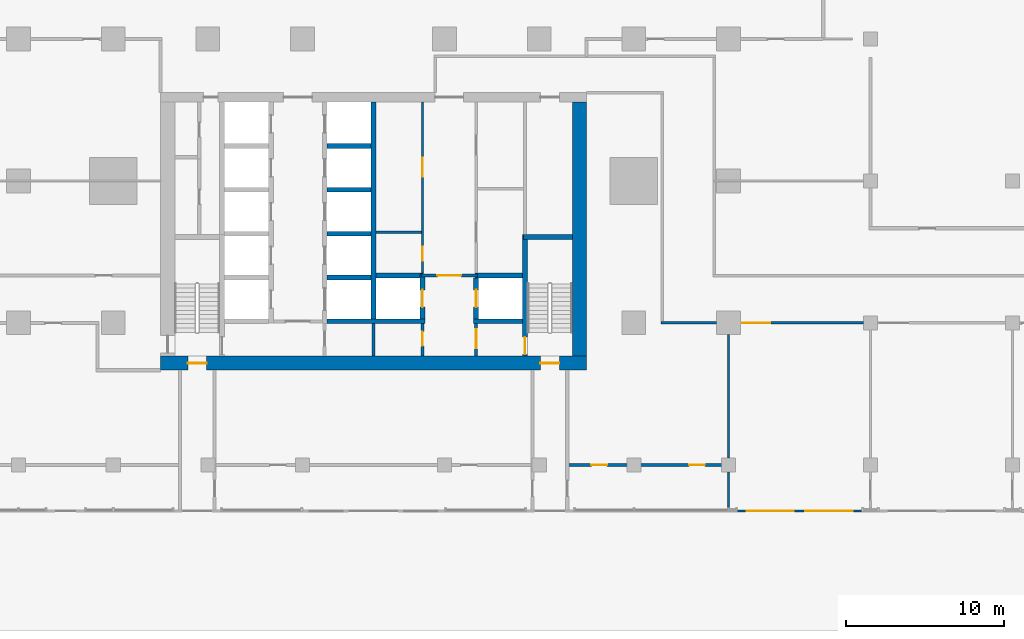
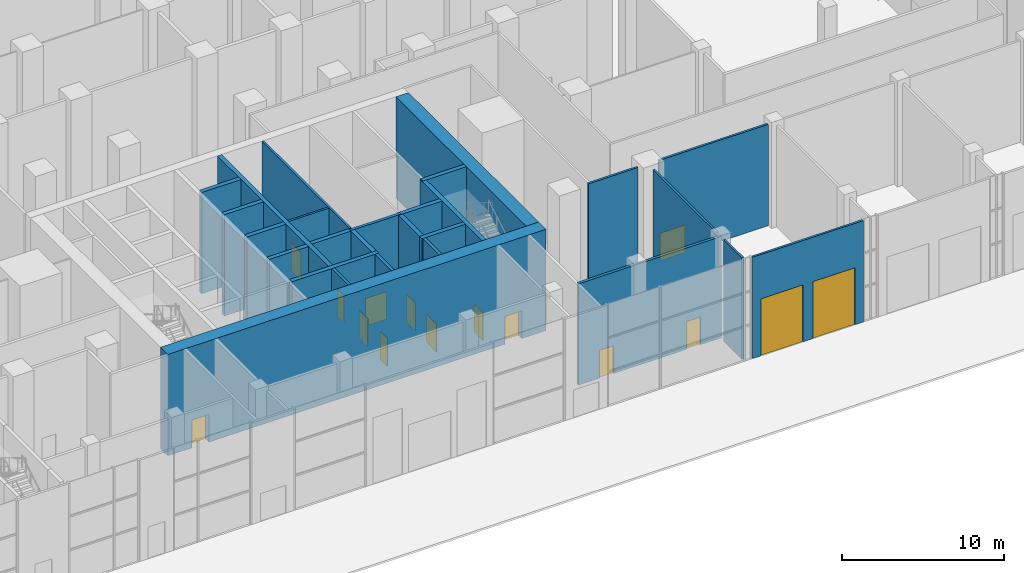
# One storey, part 19 of 29: 27 walls, 15 doors, 15 openings.
"""IFC4 building model written with IfcOpenShell, lengths in metres."""

from ifc_helpers import new_model, si_unit, direction, frame, frame_2d, origin, place, context, subcontext, project, spatial, rectangle, extrude, material, layer, layer_set, type_object, element, fill, save


model = new_model("IFC4")

# Units and contexts
model_context = context("Model", 3, precision=1e-05, world=origin(), true_north=direction((0.0, 1.0)))
body_context = subcontext(model_context, "Body", "Model", "MODEL_VIEW")
ifc_project = project(units=[si_unit("LENGTHUNIT", "METRE"), si_unit("AREAUNIT", "SQUARE_METRE"), si_unit("VOLUMEUNIT", "CUBIC_METRE"), si_unit("PLANEANGLEUNIT", "RADIAN"), si_unit("MASSUNIT", "GRAM", prefix="KILO")], contexts=[model_context])

# Site, building, storey
site_placement = place(None, origin())
site = spatial("IfcSite", under=ifc_project, at=site_placement, CompositionType="ELEMENT")
building_placement = place(site_placement, origin())
building = spatial("IfcBuilding", under=site, at=building_placement, Name="Finial Court Residences", CompositionType="ELEMENT")
storey_placement = place(building_placement, origin())
storey = spatial("IfcBuildingStorey", under=building, at=storey_placement, Name="L00", CompositionType="ELEMENT", Elevation=0.0)

# Wall, openings, doors
ifc_material_1 = material(Name="Concrete C80/95", Category="concrete")
ifc_layer_1 = layer(ifc_material_1, 0.89990234375)
ifc_layer_set_1 = layer_set([ifc_layer_1], Name="Core outer wall 900 Concrete C80/95")
wall_type_1 = type_object("IfcWallType", Name="Core outer wall 900 Concrete C80/95", PredefinedType="SHEAR", material=ifc_layer_set_1)
wall_1_placement = place(storey_placement, frame((13.5, -25.050048828125, 0.0), z_axis=(0.0, 0.0, 1.0), x_axis=(-1.0, 0.0, 0.0)))
wall_1 = element("IfcWall", 1, at=wall_1_placement, inside=storey, type_object=wall_type_1, Name="Core outer wall L00-01", PredefinedType="SHEAR", context=body_context, shape_type="SweptSolid", body=[
    extrude(rectangle(XDim=27.0, YDim=0.89990234375, at=frame_2d((13.5, 0.0))), origin(), (0.0, 0.0, 1.0), 7.64990234375),
])
opening_1_placement = place(wall_1_placement, frame((24.074951171875, 0.0, 0.0)))
opening_1 = element("IfcOpeningElement", 2, at=opening_1_placement, cuts=wall_1, Name="Opening L00-C01", PredefinedType="OPENING", context=body_context, shape_type="SweptSolid", body=[
    extrude(rectangle(XDim=1.199951171875, YDim=2.10009765625, at=frame_2d((0.60009765625, 1.050048828125))), frame((0.0, 0.4599609375, 0.0), z_axis=(0.0, -1.0, 0.0), x_axis=(1.0, 0.0, 0.0)), (0.0, 0.0, 1.0), 0.919921875),
])
opening_2_placement = place(wall_1_placement, frame((1.72509765625, 0.0, 0.0)))
opening_2 = element("IfcOpeningElement", 3, at=opening_2_placement, cuts=wall_1, Name="Opening L00-C02", PredefinedType="OPENING", context=body_context, shape_type="SweptSolid", body=[
    extrude(rectangle(XDim=1.199951171875, YDim=2.10009765625, at=frame_2d((0.60009765625, 1.050048828125))), frame((0.0, 0.4599609375, 0.0), z_axis=(0.0, -1.0, 0.0), x_axis=(1.0, 0.0, 0.0)), (0.0, 0.0, 1.0), 0.919921875),
])
ifc_material_2 = material(Name="Steel fire door", Category="steel")
door_type_1 = type_object("IfcDoorType", Name="Stair exit door 1200 x 2100 EI 90", OperationType="NOTDEFINED", PredefinedType="DOOR", material=ifc_material_2)
door_1_placement = place(opening_1_placement, origin())
door_1 = element("IfcDoor", 4, at=door_1_placement, inside=storey, type_object=door_type_1, Name="Stair exit door L00-C01", OperationType="SINGLE_SWING_LEFT", OverallHeight=2.10009765625, OverallWidth=1.199951171875, PredefinedType="DOOR", context=body_context, shape_type="SweptSolid", body=[
    extrude(rectangle(XDim=1.199951171875, YDim=2.10009765625, at=frame_2d((0.60009765625, 1.050048828125))), frame((0.0, 0.02490234375, 0.0), z_axis=(0.0, -1.0, 0.0), x_axis=(1.0, 0.0, 0.0)), (0.0, 0.0, 1.0), 0.050048828125),
])
fill(opening_1, door_1)
door_2_placement = place(opening_2_placement, origin())
door_2 = element("IfcDoor", 5, at=door_2_placement, inside=storey, type_object=door_type_1, Name="Stair exit door L00-C02", OperationType="SINGLE_SWING_LEFT", OverallHeight=2.10009765625, OverallWidth=1.199951171875, PredefinedType="DOOR", context=body_context, shape_type="SweptSolid", body=[
    extrude(rectangle(XDim=1.199951171875, YDim=2.10009765625, at=frame_2d((0.60009765625, 1.050048828125))), frame((0.0, 0.02490234375, 0.0), z_axis=(0.0, -1.0, 0.0), x_axis=(1.0, 0.0, 0.0)), (0.0, 0.0, 1.0), 0.050048828125),
])
fill(opening_2, door_2)

# Walls
wall_2_placement = place(storey_placement, frame((13.050048828125, -24.60009765625, 0.0), z_axis=(0.0, 0.0, 1.0), x_axis=(0.0, 1.0, 0.0)))
element("IfcWall", 6, at=wall_2_placement, inside=storey, type_object=wall_type_1, Name="Core outer wall L00-04", PredefinedType="SHEAR", context=body_context, shape_type="SweptSolid", body=[
    extrude(rectangle(XDim=16.10009765625, YDim=0.89990234375, at=frame_2d((8.050048828125, 0.0))), origin(), (0.0, 0.0, 1.0), 7.64990234375),
])
ifc_material_3 = material(Name="Fire-rated gypsum board partition")
ifc_layer_2 = layer(ifc_material_3, 0.14990234375)
ifc_layer_set_2 = layer_set([ifc_layer_2], Name="Core room partition 150 EI 60")
wall_type_2 = type_object("IfcWallType", Name="Core room partition 150 EI 60", PredefinedType="PARTITIONING", material=ifc_layer_set_2)
wall_3_placement = place(storey_placement, frame((0.14990234375, -16.75, 0.0), z_axis=(0.0, 0.0, 1.0), x_axis=(1.0, 0.0, 0.0)))
element("IfcWall", 7, at=wall_3_placement, inside=storey, type_object=wall_type_2, Name="Core partition L00-14", PredefinedType="PARTITIONING", context=body_context, shape_type="SweptSolid", body=[
    extrude(rectangle(XDim=2.875, YDim=0.14990234375, at=frame_2d((1.4375, 0.0))), origin(), (0.0, 0.0, 1.0), 7.64990234375),
])

# Wall, openings, doors
wall_4_placement = place(storey_placement, frame((3.10009765625, -19.39990234375, 0.0), z_axis=(0.0, 0.0, 1.0), x_axis=(0.0, 1.0, 0.0)))
wall_4 = element("IfcWall", 8, at=wall_4_placement, inside=storey, type_object=wall_type_2, Name="Core partition L00-32", PredefinedType="PARTITIONING", context=body_context, shape_type="SweptSolid", body=[
    extrude(rectangle(XDim=10.89990234375, YDim=0.14990234375, at=frame_2d((5.449951171875, 0.0))), origin(), (0.0, 0.0, 1.0), 7.64990234375),
])
opening_3_placement = place(wall_4_placement, frame((0.824951171875, 0.0, 0.0)))
opening_3 = element("IfcOpeningElement", 9, at=opening_3_placement, cuts=wall_4, Name="Opening L00-C14", PredefinedType="OPENING", context=body_context, shape_type="SweptSolid", body=[
    extrude(rectangle(XDim=0.89990234375, YDim=2.10009765625, at=frame_2d((0.449951171875, 1.050048828125))), frame((0.0, 0.0849609375, 0.0), z_axis=(0.0, -1.0, 0.0), x_axis=(1.0, 0.0, 0.0)), (0.0, 0.0, 1.0), 0.169921875),
])
opening_4_placement = place(wall_4_placement, frame((6.175048828125, 0.0, 0.0)))
opening_4 = element("IfcOpeningElement", 10, at=opening_4_placement, cuts=wall_4, Name="Opening L00-C15", PredefinedType="OPENING", context=body_context, shape_type="SweptSolid", body=[
    extrude(rectangle(XDim=1.199951171875, YDim=2.10009765625, at=frame_2d((0.60009765625, 1.050048828125))), frame((0.0, 0.0849609375, 0.0), z_axis=(0.0, -1.0, 0.0), x_axis=(1.0, 0.0, 0.0)), (0.0, 0.0, 1.0), 0.169921875),
])
door_type_2 = type_object("IfcDoorType", Name="Core room door 1200 x 2100 EI 60", OperationType="NOTDEFINED", PredefinedType="DOOR", material=ifc_material_2)
door_3_placement = place(opening_4_placement, origin())
door_3 = element("IfcDoor", 11, at=door_3_placement, inside=storey, type_object=door_type_2, Name="Core room door L00-C15", OperationType="SINGLE_SWING_LEFT", OverallHeight=2.10009765625, OverallWidth=1.199951171875, PredefinedType="DOOR", context=body_context, shape_type="SweptSolid", body=[
    extrude(rectangle(XDim=1.199951171875, YDim=2.10009765625, at=frame_2d((0.60009765625, 1.050048828125))), frame((0.0, 0.02490234375, 0.0), z_axis=(0.0, -1.0, 0.0), x_axis=(1.0, 0.0, 0.0)), (0.0, 0.0, 1.0), 0.050048828125),
])
fill(opening_4, door_3)
door_type_3 = type_object("IfcDoorType", Name="Core room door 900 x 2100 EI 60", OperationType="NOTDEFINED", PredefinedType="DOOR", material=ifc_material_2)
door_4_placement = place(opening_3_placement, origin())
door_4 = element("IfcDoor", 12, at=door_4_placement, inside=storey, type_object=door_type_3, Name="Core room door L00-C14", OperationType="SINGLE_SWING_LEFT", OverallHeight=2.10009765625, OverallWidth=0.89990234375, PredefinedType="DOOR", context=body_context, shape_type="SweptSolid", body=[
    extrude(rectangle(XDim=0.89990234375, YDim=2.10009765625, at=frame_2d((0.449951171875, 1.050048828125))), frame((0.0, 0.02490234375, 0.0), z_axis=(0.0, -1.0, 0.0), x_axis=(1.0, 0.0, 0.0)), (0.0, 0.0, 1.0), 0.050048828125),
])
fill(opening_3, door_4)

ifc_material_4 = material(Name="Gypsum board")
ifc_layer_3 = layer(ifc_material_4, 0.02490234375)
ifc_material_5 = material(Name="Acoustic mineral wool in double frame")
ifc_layer_4 = layer(ifc_material_5, 0.14990234375)
ifc_layer_5 = layer(ifc_material_4, 0.02490234375)
ifc_layer_set_3 = layer_set([ifc_layer_3, ifc_layer_4, ifc_layer_5], Name="Corridor wall 200, 1 hour")
wall_type_3 = type_object("IfcWallType", Name="Corridor wall 200, 1 hour", PredefinedType="PARTITIONING", material=ifc_layer_set_3)
wall_5_placement = place(storey_placement, frame((12.300048828125, -31.5, 0.0), z_axis=(0.0, 0.0, 1.0), x_axis=(1.0, 0.0, 0.0)))
wall_5 = element("IfcWall", 13, at=wall_5_placement, inside=storey, type_object=wall_type_3, Name="Partition L00-003", PredefinedType="PARTITIONING", context=body_context, shape_type="SweptSolid", body=[
    extrude(rectangle(XDim=10.199951171875, YDim=0.199951171875, at=frame_2d((5.10009765625, 0.0))), origin(), (0.0, 0.0, 1.0), 7.64990234375),
])
opening_5_placement = place(wall_5_placement, frame((1.5, 0.0, 0.0)))
opening_5 = element("IfcOpeningElement", 14, at=opening_5_placement, cuts=wall_5, Name="Opening L00-D003", PredefinedType="OPENING", context=body_context, shape_type="SweptSolid", body=[
    extrude(rectangle(XDim=1.0, YDim=2.10009765625, at=frame_2d((0.5, 1.050048828125))), frame((0.0, 0.10986328125, 0.0), z_axis=(0.0, -1.0, 0.0), x_axis=(1.0, 0.0, 0.0)), (0.0, 0.0, 1.0), 0.219970703125),
])
opening_6_placement = place(wall_5_placement, frame((7.699951171875, 0.0, 0.0)))
opening_6 = element("IfcOpeningElement", 15, at=opening_6_placement, cuts=wall_5, Name="Opening L00-D004", PredefinedType="OPENING", context=body_context, shape_type="SweptSolid", body=[
    extrude(rectangle(XDim=1.0, YDim=2.10009765625, at=frame_2d((0.5, 1.050048828125))), frame((0.0, 0.10986328125, 0.0), z_axis=(0.0, -1.0, 0.0), x_axis=(1.0, 0.0, 0.0)), (0.0, 0.0, 1.0), 0.219970703125),
])
ifc_material_6 = material(Name="Timber door leaf in hollow metal frame", Category="wood")
door_type_4 = type_object("IfcDoorType", Name="Fire door set 1000 x 2100, 30 minutes", OperationType="SINGLE_SWING_LEFT", PredefinedType="DOOR", material=ifc_material_6)
door_5_placement = place(opening_5_placement, origin())
door_5 = element("IfcDoor", 16, at=door_5_placement, inside=storey, type_object=door_type_4, Name="Door L00-D003", OperationType="SINGLE_SWING_RIGHT", OverallHeight=2.10009765625, OverallWidth=1.0, PredefinedType="DOOR", context=body_context, shape_type="SweptSolid", body=[
    extrude(rectangle(XDim=1.0, YDim=2.10009765625, at=frame_2d((0.5, 1.050048828125))), frame((0.0, 0.02490234375, 0.0), z_axis=(0.0, -1.0, 0.0), x_axis=(1.0, 0.0, 0.0)), (0.0, 0.0, 1.0), 0.050048828125),
])
fill(opening_5, door_5)
door_6_placement = place(opening_6_placement, origin())
door_6 = element("IfcDoor", 17, at=door_6_placement, inside=storey, type_object=door_type_4, Name="Door L00-D004", OperationType="SINGLE_SWING_LEFT", OverallHeight=2.10009765625, OverallWidth=1.0, PredefinedType="DOOR", context=body_context, shape_type="SweptSolid", body=[
    extrude(rectangle(XDim=1.0, YDim=2.10009765625, at=frame_2d((0.5, 1.050048828125))), frame((0.0, 0.02490234375, 0.0), z_axis=(0.0, -1.0, 0.0), x_axis=(1.0, 0.0, 0.0)), (0.0, 0.0, 1.0), 0.050048828125),
])
fill(opening_6, door_6)

ifc_material_7 = material(Name="Natural limestone", Category="masonry")
ifc_layer_6 = layer(ifc_material_7, 0.14990234375)
ifc_layer_set_4 = layer_set([ifc_layer_6], Name="Entrance portal wall, limestone 150")
wall_type_4 = type_object("IfcWallType", Name="Entrance portal wall, limestone 150", PredefinedType="SOLIDWALL", material=ifc_layer_set_4)
wall_6_placement = place(storey_placement, frame((30.958251953125, -34.425048828125, 0.0), z_axis=(0.0, 0.0, 1.0), x_axis=(-1.0, 0.0, 0.0)))
wall_6 = element("IfcWall", 18, at=wall_6_placement, inside=storey, type_object=wall_type_4, Name="E-L00-ENT24", PredefinedType="SOLIDWALL", context=body_context, shape_type="SweptSolid", body=[
    extrude(rectangle(XDim=7.91650390625, YDim=0.14990234375, at=frame_2d((3.958251953125, 0.0))), origin(), (0.0, 0.0, 1.0), 7.64990234375),
])
opening_7_placement = place(wall_6_placement, frame((4.316650390625, 0.0, 0.0)))
opening_7 = element("IfcOpeningElement", 19, at=opening_7_placement, cuts=wall_6, Name="Opening DE00-25", PredefinedType="OPENING", context=body_context, shape_type="SweptSolid", body=[
    extrude(rectangle(XDim=3.0, YDim=4.300048828125, at=frame_2d((1.5, 2.14990234375))), frame((0.0, 0.0849609375, 0.0), z_axis=(0.0, -1.0, 0.0), x_axis=(1.0, 0.0, 0.0)), (0.0, 0.0, 1.0), 0.169921875),
])
opening_8_placement = place(wall_6_placement, frame((0.60009765625, 0.0, 0.0)))
opening_8 = element("IfcOpeningElement", 20, at=opening_8_placement, cuts=wall_6, Name="Opening DE00-26", PredefinedType="OPENING", context=body_context, shape_type="SweptSolid", body=[
    extrude(rectangle(XDim=3.0, YDim=4.300048828125, at=frame_2d((1.5, 2.14990234375))), frame((0.0, 0.0849609375, 0.0), z_axis=(0.0, -1.0, 0.0), x_axis=(1.0, 0.0, 0.0)), (0.0, 0.0, 1.0), 0.169921875),
])
ifc_material_8 = material(Name="Steel S355", Category="steel")
door_type_5 = type_object("IfcDoorType", Name="Dock door, overhead sectional 3000 x 4300", OperationType="ROLLINGUP", PredefinedType="DOOR", material=ifc_material_8)
door_7_placement = place(opening_7_placement, origin())
door_7 = element("IfcDoor", 21, at=door_7_placement, inside=storey, type_object=door_type_5, Name="E-L00-ENT24-D1", OperationType="ROLLINGUP", OverallHeight=4.300048828125, OverallWidth=3.0, PredefinedType="DOOR", context=body_context, shape_type="SweptSolid", body=[
    extrude(rectangle(XDim=3.0, YDim=4.300048828125, at=frame_2d((1.5, 2.14990234375))), frame((0.0, 0.02490234375, 0.0), z_axis=(0.0, -1.0, 0.0), x_axis=(1.0, 0.0, 0.0)), (0.0, 0.0, 1.0), 0.050048828125),
])
fill(opening_7, door_7)
door_8_placement = place(opening_8_placement, origin())
door_8 = element("IfcDoor", 22, at=door_8_placement, inside=storey, type_object=door_type_5, Name="E-L00-ENT24-D2", OperationType="ROLLINGUP", OverallHeight=4.300048828125, OverallWidth=3.0, PredefinedType="DOOR", context=body_context, shape_type="SweptSolid", body=[
    extrude(rectangle(XDim=3.0, YDim=4.300048828125, at=frame_2d((1.5, 2.14990234375))), frame((0.0, 0.02490234375, 0.0), z_axis=(0.0, -1.0, 0.0), x_axis=(1.0, 0.0, 0.0)), (0.0, 0.0, 1.0), 0.050048828125),
])
fill(opening_8, door_8)

# Wall, opening, door
ifc_layer_7 = layer(ifc_material_3, 0.199951171875)
ifc_layer_set_5 = layer_set([ifc_layer_7], Name="Firefighting lobby wall 200 EI 120")
wall_type_5 = type_object("IfcWallType", Name="Firefighting lobby wall 200 EI 120", PredefinedType="PARTITIONING", material=ifc_layer_set_5)
wall_7_placement = place(storey_placement, frame((6.574951171875, -19.5, 0.0), z_axis=(0.0, 0.0, 1.0), x_axis=(-1.0, 0.0, 0.0)))
wall_7 = element("IfcWall", 23, at=wall_7_placement, inside=storey, type_object=wall_type_5, Name="Core partition L00-08", PredefinedType="PARTITIONING", context=body_context, shape_type="SweptSolid", body=[
    extrude(rectangle(XDim=3.550048828125, YDim=0.199951171875, at=frame_2d((1.77490234375, 0.0))), origin(), (0.0, 0.0, 1.0), 7.64990234375),
])
opening_9_placement = place(wall_7_placement, frame((1.02490234375, 0.0, 0.0)))
opening_9 = element("IfcOpeningElement", 24, at=opening_9_placement, cuts=wall_7, Name="Opening L00-C04", PredefinedType="OPENING", context=body_context, shape_type="SweptSolid", body=[
    extrude(rectangle(XDim=1.5, YDim=2.10009765625, at=frame_2d((0.75, 1.050048828125))), frame((0.0, 0.10986328125, 0.0), z_axis=(0.0, -1.0, 0.0), x_axis=(1.0, 0.0, 0.0)), (0.0, 0.0, 1.0), 0.219970703125),
])
door_type_6 = type_object("IfcDoorType", Name="Firefighting lobby door 1500 x 2100 EI 90", OperationType="DOUBLE_DOOR_SINGLE_SWING", PredefinedType="DOOR", material=ifc_material_2)
door_9_placement = place(opening_9_placement, origin())
door_9 = element("IfcDoor", 25, at=door_9_placement, inside=storey, type_object=door_type_6, Name="Firefighting lobby door L00-C04", OperationType="DOUBLE_DOOR_SINGLE_SWING", OverallHeight=2.10009765625, OverallWidth=1.5, PredefinedType="DOOR", context=body_context, shape_type="SweptSolid", body=[
    extrude(rectangle(XDim=1.5, YDim=2.10009765625, at=frame_2d((0.75, 1.050048828125))), frame((0.0, 0.02490234375, 0.0), z_axis=(0.0, -1.0, 0.0), x_axis=(1.0, 0.0, 0.0)), (0.0, 0.0, 1.0), 0.050048828125),
])
fill(opening_9, door_9)

wall_8_placement = place(storey_placement, frame((3.10009765625, -24.60009765625, 0.0), z_axis=(0.0, 0.0, 1.0), x_axis=(0.0, 1.0, 0.0)))
wall_8 = element("IfcWall", 26, at=wall_8_placement, inside=storey, type_object=wall_type_5, Name="Core partition L00-30", PredefinedType="PARTITIONING", context=body_context, shape_type="SweptSolid", body=[
    extrude(rectangle(XDim=2.050048828125, YDim=0.199951171875, at=frame_2d((1.02490234375, 0.0))), origin(), (0.0, 0.0, 1.0), 7.64990234375),
])
opening_10_placement = place(wall_8_placement, frame((0.64990234375, 0.0, 0.0)))
opening_10 = element("IfcOpeningElement", 27, at=opening_10_placement, cuts=wall_8, Name="Opening L00-C08", PredefinedType="OPENING", context=body_context, shape_type="SweptSolid", body=[
    extrude(rectangle(XDim=0.89990234375, YDim=2.10009765625, at=frame_2d((0.449951171875, 1.050048828125))), frame((0.0, 0.10986328125, 0.0), z_axis=(0.0, -1.0, 0.0), x_axis=(1.0, 0.0, 0.0)), (0.0, 0.0, 1.0), 0.219970703125),
])
door_type_7 = type_object("IfcDoorType", Name="Riser room door 900 x 2100 EI 90", OperationType="NOTDEFINED", PredefinedType="DOOR", material=ifc_material_2)
door_10_placement = place(opening_10_placement, origin())
door_10 = element("IfcDoor", 28, at=door_10_placement, inside=storey, type_object=door_type_7, Name="Riser room door L00-C08", OperationType="SINGLE_SWING_LEFT", OverallHeight=2.10009765625, OverallWidth=0.89990234375, PredefinedType="DOOR", context=body_context, shape_type="SweptSolid", body=[
    extrude(rectangle(XDim=0.89990234375, YDim=2.10009765625, at=frame_2d((0.449951171875, 1.050048828125))), frame((0.0, 0.02490234375, 0.0), z_axis=(0.0, -1.0, 0.0), x_axis=(1.0, 0.0, 0.0)), (0.0, 0.0, 1.0), 0.050048828125),
])
fill(opening_10, door_10)

wall_9_placement = place(storey_placement, frame((6.5, -22.550048828125, 0.0), z_axis=(0.0, 0.0, 1.0), x_axis=(0.0, -1.0, 0.0)))
wall_9 = element("IfcWall", 29, at=wall_9_placement, inside=storey, type_object=wall_type_5, Name="Core partition L00-33", PredefinedType="PARTITIONING", context=body_context, shape_type="SweptSolid", body=[
    extrude(rectangle(XDim=2.050048828125, YDim=0.199951171875, at=frame_2d((1.02490234375, 0.0))), origin(), (0.0, 0.0, 1.0), 7.64990234375),
])
opening_11_placement = place(wall_9_placement, frame((0.35009765625, 0.0, 0.0)))
opening_11 = element("IfcOpeningElement", 30, at=opening_11_placement, cuts=wall_9, Name="Opening L00-C03", PredefinedType="OPENING", context=body_context, shape_type="SweptSolid", body=[
    extrude(rectangle(XDim=1.199951171875, YDim=2.10009765625, at=frame_2d((0.60009765625, 1.050048828125))), frame((0.0, 0.10986328125, 0.0), z_axis=(0.0, -1.0, 0.0), x_axis=(1.0, 0.0, 0.0)), (0.0, 0.0, 1.0), 0.219970703125),
])
door_type_8 = type_object("IfcDoorType", Name="Firefighting lobby door 1200 x 2100 EI 90", OperationType="NOTDEFINED", PredefinedType="DOOR", material=ifc_material_2)
door_11_placement = place(opening_11_placement, origin())
door_11 = element("IfcDoor", 31, at=door_11_placement, inside=storey, type_object=door_type_8, Name="Firefighting lobby door L00-C03", OperationType="SINGLE_SWING_RIGHT", OverallHeight=2.10009765625, OverallWidth=1.199951171875, PredefinedType="DOOR", context=body_context, shape_type="SweptSolid", body=[
    extrude(rectangle(XDim=1.199951171875, YDim=2.10009765625, at=frame_2d((0.60009765625, 1.050048828125))), frame((0.0, 0.02490234375, 0.0), z_axis=(0.0, -1.0, 0.0), x_axis=(1.0, 0.0, 0.0)), (0.0, 0.0, 1.0), 0.050048828125),
])
fill(opening_11, door_11)

# Walls
ifc_layer_8 = layer(ifc_material_1, 0.300048828125)
ifc_layer_set_6 = layer_set([ifc_layer_8], Name="Lift shaft and stair wall 300 Concrete C80/95")
wall_type_6 = type_object("IfcWallType", Name="Lift shaft and stair wall 300 Concrete C80/95", PredefinedType="SHEAR", material=ifc_layer_set_6)
wall_10_placement = place(storey_placement, frame((-2.949951171875, -22.39990234375, 0.0), z_axis=(0.0, 0.0, 1.0), x_axis=(1.0, 0.0, 0.0)))
element("IfcWall", 32, at=wall_10_placement, inside=storey, type_object=wall_type_6, Name="Core wall L00-03", PredefinedType="SHEAR", context=body_context, shape_type="SweptSolid", body=[
    extrude(rectangle(XDim=6.199951171875, YDim=0.300048828125, at=frame_2d((3.10009765625, 0.0))), origin(), (0.0, 0.0, 1.0), 7.64990234375),
])
wall_11_placement = place(storey_placement, frame((6.35009765625, -22.39990234375, 0.0), z_axis=(0.0, 0.0, 1.0), x_axis=(1.0, 0.0, 0.0)))
element("IfcWall", 33, at=wall_11_placement, inside=storey, type_object=wall_type_6, Name="Core wall L00-04", PredefinedType="SHEAR", context=body_context, shape_type="SweptSolid", body=[
    extrude(rectangle(XDim=3.099853515625, YDim=0.300048828125, at=frame_2d((1.5498046875, 0.0))), origin(), (0.0, 0.0, 1.0), 7.64990234375),
])
wall_12_placement = place(storey_placement, frame((-2.949951171875, -19.6201171875, 0.0), z_axis=(0.0, 0.0, 1.0), x_axis=(1.0, 0.0, 0.0)))
element("IfcWall", 34, at=wall_12_placement, inside=storey, type_object=wall_type_6, Name="Core wall L00-06", PredefinedType="SHEAR", context=body_context, shape_type="SweptSolid", body=[
    extrude(rectangle(XDim=2.800048828125, YDim=0.300048828125, at=frame_2d((1.39990234375, 0.0))), origin(), (0.0, 0.0, 1.0), 7.64990234375),
])
wall_13_placement = place(storey_placement, frame((0.14990234375, -19.5, 0.0), z_axis=(0.0, 0.0, 1.0), x_axis=(1.0, 0.0, 0.0)))
element("IfcWall", 35, at=wall_13_placement, inside=storey, type_object=wall_type_6, Name="Core wall L00-07", PredefinedType="SHEAR", context=body_context, shape_type="SweptSolid", body=[
    extrude(rectangle(XDim=3.025146484375, YDim=0.300048828125, at=frame_2d((1.5126953125, 0.0))), origin(), (0.0, 0.0, 1.0), 7.64990234375),
])
wall_14_placement = place(storey_placement, frame((6.425048828125, -19.5, 0.0), z_axis=(0.0, 0.0, 1.0), x_axis=(1.0, 0.0, 0.0)))
element("IfcWall", 36, at=wall_14_placement, inside=storey, type_object=wall_type_6, Name="Core wall L00-09", PredefinedType="SHEAR", context=body_context, shape_type="SweptSolid", body=[
    extrude(rectangle(XDim=3.02490234375, YDim=0.300048828125, at=frame_2d((1.512451171875, 0.0))), origin(), (0.0, 0.0, 1.0), 7.64990234375),
])
wall_15_placement = place(storey_placement, frame((9.5, -17.050048828125, 0.0), z_axis=(0.0, 0.0, 1.0), x_axis=(1.0, 0.0, 0.0)))
element("IfcWall", 37, at=wall_15_placement, inside=storey, type_object=wall_type_6, Name="Core wall L00-11", PredefinedType="SHEAR", context=body_context, shape_type="SweptSolid", body=[
    extrude(rectangle(XDim=3.10009765625, YDim=0.300048828125, at=frame_2d((1.550048828125, 0.0))), origin(), (0.0, 0.0, 1.0), 7.64990234375),
])
for number, where, z_axis, x_axis, name in (
    (38, (-2.949951171875, -16.840087890625, 0.0), (0.0, 0.0, 1.0), (1.0, 0.0, 0.0), "Core wall L00-13"),
    (39, (-2.949951171875, -14.06005859375, 0.0), (0.0, 0.0, 1.0), (1.0, 0.0, 0.0), "Core wall L00-16"),
    (40, (-2.949951171875, -11.280029296875, 0.0), (0.0, 0.0, 1.0), (1.0, 0.0, 0.0), "Core wall L00-20"),
):
    element("IfcWall", number, at=place(storey_placement, frame(where, z_axis=z_axis, x_axis=x_axis)), inside=storey, type_object=wall_type_6, Name=name, PredefinedType="SHEAR", context=body_context, shape_type="SweptSolid", body=[
        extrude(rectangle(XDim=2.800048828125, YDim=0.300048828125, at=frame_2d((1.39990234375, 0.0))), origin(), (0.0, 0.0, 1.0), 7.64990234375),
    ])
wall_16_placement = place(storey_placement, frame((0.0, -22.25, 0.0), z_axis=(0.0, 0.0, 1.0), x_axis=(0.0, 1.0, 0.0)))
element("IfcWall", 41, at=wall_16_placement, inside=storey, type_object=wall_type_6, Name="Core wall L00-29", PredefinedType="SHEAR", context=body_context, shape_type="SweptSolid", body=[
    extrude(rectangle(XDim=13.75, YDim=0.300048828125, at=frame_2d((6.875, 0.0))), origin(), (0.0, 0.0, 1.0), 7.64990234375),
])

# Wall, opening, door
wall_17_placement = place(storey_placement, frame((3.10009765625, -22.25, 0.0), z_axis=(0.0, 0.0, 1.0), x_axis=(0.0, 1.0, 0.0)))
wall_17 = element("IfcWall", 42, at=wall_17_placement, inside=storey, type_object=wall_type_6, Name="Core wall L00-31", PredefinedType="SHEAR", context=body_context, shape_type="SweptSolid", body=[
    extrude(rectangle(XDim=2.85009765625, YDim=0.300048828125, at=frame_2d((1.425048828125, 0.0))), origin(), (0.0, 0.0, 1.0), 7.64990234375),
])
opening_12_placement = place(wall_17_placement, frame((0.75, 0.0, 0.0)))
opening_12 = element("IfcOpeningElement", 43, at=opening_12_placement, cuts=wall_17, Name="Opening L00-LD01", PredefinedType="OPENING", context=body_context, shape_type="SweptSolid", body=[
    extrude(rectangle(XDim=1.10009765625, YDim=2.10009765625, at=frame_2d((0.550048828125, 1.050048828125))), frame((0.0, 0.159912109375, 0.0), z_axis=(0.0, -1.0, 0.0), x_axis=(1.0, 0.0, 0.0)), (0.0, 0.0, 1.0), 0.320068359375),
])
ifc_material_9 = material(Name="Stainless steel lift door", Category="steel")
door_type_9 = type_object("IfcDoorType", Name="Lift landing door 1100 x 2100 EI 90", OperationType="DOUBLE_DOOR_SLIDING", PredefinedType="DOOR", material=ifc_material_9)
door_12_placement = place(opening_12_placement, origin())
door_12 = element("IfcDoor", 44, at=door_12_placement, inside=storey, type_object=door_type_9, Name="Lift landing door FF1 L00", OperationType="DOUBLE_DOOR_SLIDING", OverallHeight=2.10009765625, OverallWidth=1.10009765625, PredefinedType="DOOR", context=body_context, shape_type="SweptSolid", body=[
    extrude(rectangle(XDim=1.10009765625, YDim=2.10009765625, at=frame_2d((0.550048828125, 1.050048828125))), frame((0.0, 0.02490234375, 0.0), z_axis=(0.0, -1.0, 0.0), x_axis=(1.0, 0.0, 0.0)), (0.0, 0.0, 1.0), 0.050048828125),
])
fill(opening_12, door_12)

wall_18_placement = place(storey_placement, frame((6.5, -22.25, 0.0), z_axis=(0.0, 0.0, 1.0), x_axis=(0.0, 1.0, 0.0)))
wall_18 = element("IfcWall", 45, at=wall_18_placement, inside=storey, type_object=wall_type_6, Name="Core wall L00-34", PredefinedType="SHEAR", context=body_context, shape_type="SweptSolid", body=[
    extrude(rectangle(XDim=2.60009765625, YDim=0.300048828125, at=frame_2d((1.300048828125, 0.0))), origin(), (0.0, 0.0, 1.0), 7.64990234375),
])
opening_13_placement = place(wall_18_placement, frame((0.75, 0.0, 0.0)))
opening_13 = element("IfcOpeningElement", 46, at=opening_13_placement, cuts=wall_18, Name="Opening L00-LD02", PredefinedType="OPENING", context=body_context, shape_type="SweptSolid", body=[
    extrude(rectangle(XDim=1.10009765625, YDim=2.10009765625, at=frame_2d((0.550048828125, 1.050048828125))), frame((0.0, 0.159912109375, 0.0), z_axis=(0.0, -1.0, 0.0), x_axis=(1.0, 0.0, 0.0)), (0.0, 0.0, 1.0), 0.320068359375),
])
door_13_placement = place(opening_13_placement, origin())
door_13 = element("IfcDoor", 47, at=door_13_placement, inside=storey, type_object=door_type_9, Name="Lift landing door FF2 L00", OperationType="DOUBLE_DOOR_SLIDING", OverallHeight=2.10009765625, OverallWidth=1.10009765625, PredefinedType="DOOR", context=body_context, shape_type="SweptSolid", body=[
    extrude(rectangle(XDim=1.10009765625, YDim=2.10009765625, at=frame_2d((0.550048828125, 1.050048828125))), frame((0.0, 0.02490234375, 0.0), z_axis=(0.0, -1.0, 0.0), x_axis=(1.0, 0.0, 0.0)), (0.0, 0.0, 1.0), 0.050048828125),
])
fill(opening_13, door_13)

wall_19_placement = place(storey_placement, frame((9.60009765625, -16.89990234375, 0.0), z_axis=(0.0, 0.0, 1.0), x_axis=(0.0, -1.0, 0.0)))
wall_19 = element("IfcWall", 48, at=wall_19_placement, inside=storey, type_object=wall_type_6, Name="Core wall L00-36", PredefinedType="SHEAR", context=body_context, shape_type="SweptSolid", body=[
    extrude(rectangle(XDim=7.7001953125, YDim=0.300048828125, at=frame_2d((3.85009765625, 0.0))), origin(), (0.0, 0.0, 1.0), 7.64990234375),
])
opening_14_placement = place(wall_19_placement, frame((6.5, 0.0, 0.0)))
opening_14 = element("IfcOpeningElement", 49, at=opening_14_placement, cuts=wall_19, Name="Opening L00-C19", PredefinedType="OPENING", context=body_context, shape_type="SweptSolid", body=[
    extrude(rectangle(XDim=1.10009765625, YDim=2.10009765625, at=frame_2d((0.550048828125, 1.050048828125))), frame((0.0, 0.159912109375, 0.0), z_axis=(0.0, -1.0, 0.0), x_axis=(1.0, 0.0, 0.0)), (0.0, 0.0, 1.0), 0.320068359375),
])
door_type_10 = type_object("IfcDoorType", Name="Stair door 1100 x 2100 EI 90", OperationType="NOTDEFINED", PredefinedType="DOOR", material=ifc_material_2)
door_14_placement = place(opening_14_placement, origin())
door_14 = element("IfcDoor", 50, at=door_14_placement, inside=storey, type_object=door_type_10, Name="Stair door L00-C19", OperationType="SINGLE_SWING_RIGHT", OverallHeight=2.10009765625, OverallWidth=1.10009765625, PredefinedType="DOOR", context=body_context, shape_type="SweptSolid", body=[
    extrude(rectangle(XDim=1.10009765625, YDim=2.10009765625, at=frame_2d((0.550048828125, 1.050048828125))), frame((0.0, 0.02490234375, 0.0), z_axis=(0.0, -1.0, 0.0), x_axis=(1.0, 0.0, 0.0)), (0.0, 0.0, 1.0), 0.050048828125),
])
fill(opening_14, door_14)

# Walls
ifc_layer_9 = layer(ifc_material_3, 0.199951171875)
ifc_layer_set_7 = layer_set([ifc_layer_9], Name="Riser room wall 200 EI 120")
wall_type_7 = type_object("IfcWallType", Name="Riser room wall 200 EI 120", PredefinedType="PARTITIONING", material=ifc_layer_set_7)
wall_20_placement = place(storey_placement, frame((0.0, -24.60009765625, 0.0), z_axis=(0.0, 0.0, 1.0), x_axis=(0.0, 1.0, 0.0)))
element("IfcWall", 51, at=wall_20_placement, inside=storey, type_object=wall_type_7, Name="Core partition L00-28", PredefinedType="PARTITIONING", context=body_context, shape_type="SweptSolid", body=[
    extrude(rectangle(XDim=2.050048828125, YDim=0.199951171875, at=frame_2d((1.02490234375, 0.0))), origin(), (0.0, 0.0, 1.0), 7.64990234375),
])
ifc_material_10 = material(Name="Concrete C25/30", Category="concrete")
ifc_layer_10 = layer(ifc_material_10, 0.14990234375)
ifc_layer_set_8 = layer_set([ifc_layer_10], Name="Service partition 150 Concrete C25/30")
wall_type_8 = type_object("IfcWallType", Name="Service partition 150 Concrete C25/30", PredefinedType="PARTITIONING", material=ifc_layer_set_8)
wall_21_placement = place(storey_placement, frame((18.22509765625, -22.5, 0.0), z_axis=(0.0, 0.0, 1.0), x_axis=(1.0, 0.0, 0.0)))
element("IfcWall", 52, at=wall_21_placement, inside=storey, type_object=wall_type_8, Name="Service partition L00-V001", PredefinedType="PARTITIONING", context=body_context, shape_type="SweptSolid", body=[
    extrude(rectangle(XDim=3.52490234375, YDim=0.14990234375, at=frame_2d((1.762451171875, 0.0))), origin(), (0.0, 0.0, 1.0), 7.64990234375),
])

# Wall, opening, door
wall_22_placement = place(storey_placement, frame((23.25, -22.5, 0.0), z_axis=(0.0, 0.0, 1.0), x_axis=(1.0, 0.0, 0.0)))
wall_22 = element("IfcWall", 53, at=wall_22_placement, inside=storey, type_object=wall_type_8, Name="Service partition L00-V002", PredefinedType="PARTITIONING", context=body_context, shape_type="SweptSolid", body=[
    extrude(rectangle(XDim=7.800048828125, YDim=0.14990234375, at=frame_2d((3.89990234375, 0.0))), origin(), (0.0, 0.0, 1.0), 7.64990234375),
])
opening_15_placement = place(wall_22_placement, frame((0.10009765625, 0.0, 0.0)))
opening_15 = element("IfcOpeningElement", 54, at=opening_15_placement, cuts=wall_22, Name="Opening L00-V06", PredefinedType="OPENING", context=body_context, shape_type="SweptSolid", body=[
    extrude(rectangle(XDim=1.800048828125, YDim=2.10009765625, at=frame_2d((0.89990234375, 1.050048828125))), frame((0.0, 0.0849609375, 0.0), z_axis=(0.0, -1.0, 0.0), x_axis=(1.0, 0.0, 0.0)), (0.0, 0.0, 1.0), 0.169921875),
])
door_type_11 = type_object("IfcDoorType", Name="Service double door 1800 x 2100 EI 60", OperationType="DOUBLE_DOOR_SINGLE_SWING", PredefinedType="DOOR", material=ifc_material_2)
door_15_placement = place(opening_15_placement, origin())
door_15 = element("IfcDoor", 55, at=door_15_placement, inside=storey, type_object=door_type_11, Name="Service double door L00-V06", OperationType="DOUBLE_DOOR_SINGLE_SWING", OverallHeight=2.10009765625, OverallWidth=1.800048828125, PredefinedType="DOOR", context=body_context, shape_type="SweptSolid", body=[
    extrude(rectangle(XDim=1.800048828125, YDim=2.10009765625, at=frame_2d((0.89990234375, 1.050048828125))), frame((0.0, 0.02490234375, 0.0), z_axis=(0.0, -1.0, 0.0), x_axis=(1.0, 0.0, 0.0)), (0.0, 0.0, 1.0), 0.050048828125),
])
fill(opening_15, door_15)

# Walls
wall_23_placement = place(storey_placement, frame((22.5, -34.22509765625, 0.0), z_axis=(0.0, 0.0, 1.0), x_axis=(0.0, 1.0, 0.0)))
element("IfcWall", 56, at=wall_23_placement, inside=storey, type_object=wall_type_8, Name="Service partition L00-V028", PredefinedType="PARTITIONING", context=body_context, shape_type="SweptSolid", body=[
    extrude(rectangle(XDim=2.275146484375, YDim=0.14990234375, at=frame_2d((1.1376953125, 0.0))), origin(), (0.0, 0.0, 1.0), 7.64990234375),
])
wall_24_placement = place(storey_placement, frame((22.5, -31.050048828125, 0.0), z_axis=(0.0, 0.0, 1.0), x_axis=(0.0, 1.0, 0.0)))
element("IfcWall", 57, at=wall_24_placement, inside=storey, type_object=wall_type_8, Name="Service partition L00-V029", PredefinedType="PARTITIONING", context=body_context, shape_type="SweptSolid", body=[
    extrude(rectangle(XDim=7.800048828125, YDim=0.14990234375, at=frame_2d((3.89990234375, 0.0))), origin(), (0.0, 0.0, 1.0), 7.64990234375),
])

save(model, "model.ifc")
